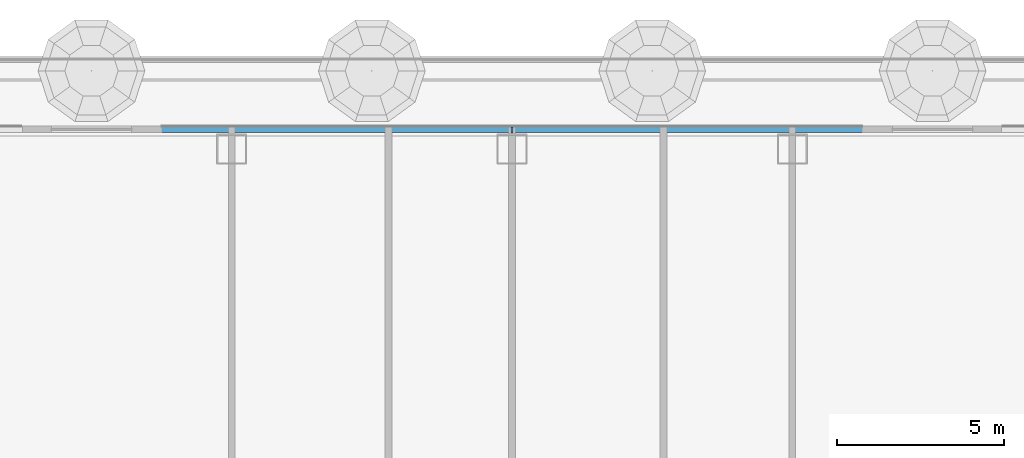
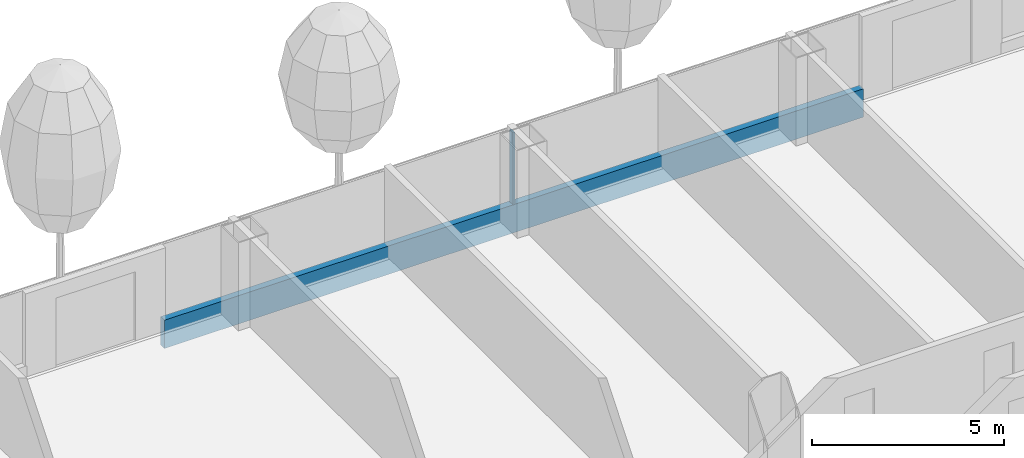
# One storey, part 6 of 35: 2 members, 1 element without a shape of its own.
"""IFC4 building model written with IfcOpenShell, lengths in metres."""

from ifc_helpers import new_model, si_unit, direction, frame, origin, origin_2d, place, context, subcontext, project, spatial, rectangle, extrude, material, layer, layer_set, material_profile, profile_set, type_object, element, aggregate, save


model = new_model("IFC4")

# Units and contexts
model_context = context("Model", 3, precision=1e-05, world=origin(), true_north=direction((0.0, 1.0)))
body_context = subcontext(model_context, "Body", "Model", "MODEL_VIEW")
ifc_project = project(units=[si_unit("LENGTHUNIT", "METRE"), si_unit("AREAUNIT", "SQUARE_METRE"), si_unit("VOLUMEUNIT", "CUBIC_METRE"), si_unit("PLANEANGLEUNIT", "RADIAN"), si_unit("MASSUNIT", "GRAM", prefix="KILO")], contexts=[model_context])

# Site, building, storey
site_placement = place(None, origin())
site = spatial("IfcSite", under=ifc_project, at=site_placement, CompositionType="ELEMENT")
building_placement = place(site_placement, origin())
building = spatial("IfcBuilding", under=site, at=building_placement, Name="Hakoniwa Tower and Hamabe Station Hall", CompositionType="ELEMENT")
storey_placement = place(building_placement, frame((0.0, 0.0, 51.800048828125)))
storey = spatial("IfcBuildingStorey", under=building, at=storey_placement, Name="L14", CompositionType="ELEMENT", Elevation=51.800048828125)

# Curtain wall, members
ifc_material_1 = material(Name="Dark low-e laminated glass", Category="glass")
ifc_layer = layer(ifc_material_1, 0.199951171875)
ifc_layer_set = layer_set([ifc_layer], Name="CW-1 UNITISED GUEST")
curtain_wall_type = type_object("IfcCurtainWallType", Name="CW-1 UNITISED GUEST", PredefinedType="NOTDEFINED", material=ifc_layer_set)
curtain_wall_placement = place(storey_placement, origin())
curtain_wall = element("IfcCurtainWall", 1, at=curtain_wall_placement, inside=storey, type_object=curtain_wall_type, Name="CW-1 curtain wall", PredefinedType="NOTDEFINED")
ifc_material_2 = material(Name="Aluminium 6063-T5 black anodised", Category="aluminium")
ifc_material_profile_1 = material_profile(ifc_material_2, rectangle(XDim=0.199951171875, YDim=0.89990234375, at=origin_2d()), Name="CW SLAB-EDGE BAND 900X200")
ifc_profile_set_1 = profile_set([ifc_material_profile_1], Name="Aluminium 6063-T5 black anodised")
member_type_1 = type_object("IfcMemberType", Name="CW SLAB-EDGE BAND 900X200", PredefinedType="USERDEFINED", material=ifc_profile_set_1)
member_1_placement = place(storey_placement, frame((10.530029296875, 20.199951171875, -0.10009765625), z_axis=(-1.0, 0.0, 0.0), x_axis=(0.0, -1.0, 0.0)))
member_1 = element("IfcMember", 2, at=member_1_placement, type_object=member_type_1, Name="CW-1 transom", ObjectType="TRANSOM", PredefinedType="USERDEFINED", context=body_context, shape_type="SweptSolid", body=[
    extrude(rectangle(XDim=0.199951171875, YDim=0.89990234375, at=origin_2d()), origin(), (0.0, 0.0, 1.0), 21.06005859375),
])
ifc_material_3 = material(Name="Aluminium 6063-T5 black anodised", Category="aluminium")
ifc_material_profile_2 = material_profile(ifc_material_3, rectangle(XDim=0.06005859375, YDim=0.179931640625, at=origin_2d()), Name="CW-1 MULLION 60X180")
ifc_profile_set_2 = profile_set([ifc_material_profile_2], Name="Aluminium 6063-T5 black anodised")
member_type_2 = type_object("IfcMemberType", Name="CW-1 MULLION 60X180", PredefinedType="MULLION", material=ifc_profile_set_2)
member_2_placement = place(storey_placement, frame((0.0, 20.181884765625, 0.349853515625), z_axis=(0.0, 0.0, 1.0), x_axis=(-1.0, 0.0, 0.0)))
member_2 = element("IfcMember", 3, at=member_2_placement, type_object=member_type_2, Name="CW-1 mullion", PredefinedType="MULLION", context=body_context, shape_type="SweptSolid", body=[
    extrude(rectangle(XDim=0.06005859375, YDim=0.179931640625, at=origin_2d()), origin(), (0.0, 0.0, 1.0), 2.300048828125),
])
aggregate(curtain_wall, [member_2, member_1])

save(model, "model.ifc")
